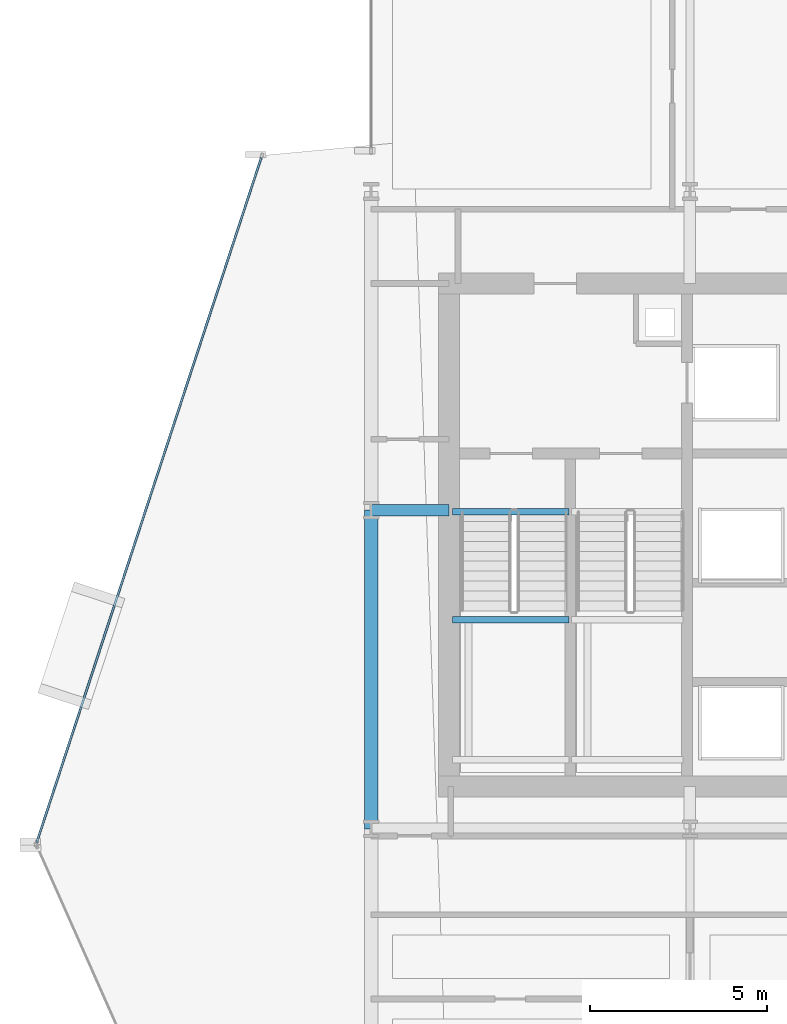
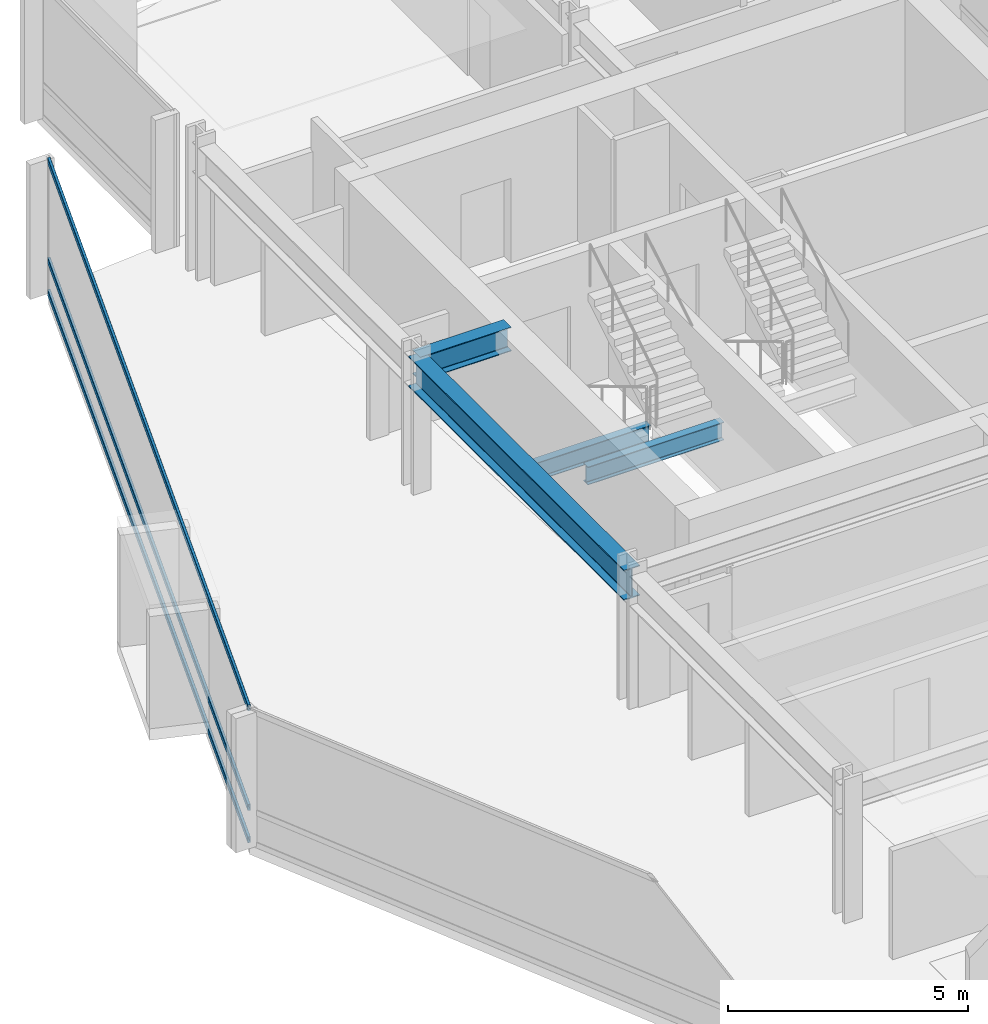
# One storey, part 18 of 34: 4 beams, 3 members, 1 element without a shape of its own.
"""IFC4 building model written with IfcOpenShell, lengths in metres."""

from ifc_helpers import new_model, si_unit, direction, frame, origin, origin_2d, place, context, subcontext, project, spatial, hollow_rectangle, i_section, extrude, material, layer, layer_set, material_profile, profile_set, type_object, element, aggregate, save


model = new_model("IFC4")

# Units and contexts
model_context = context("Model", 3, precision=1e-05, world=origin(), true_north=direction((0.0, 1.0)))
body_context = subcontext(model_context, "Body", "Model", "MODEL_VIEW")
ifc_project = project(units=[si_unit("LENGTHUNIT", "METRE"), si_unit("AREAUNIT", "SQUARE_METRE"), si_unit("VOLUMEUNIT", "CUBIC_METRE"), si_unit("PLANEANGLEUNIT", "RADIAN"), si_unit("MASSUNIT", "GRAM", prefix="KILO")], contexts=[model_context])

# Site, building, storey
site_placement = place(None, origin())
site = spatial("IfcSite", under=ifc_project, at=site_placement, CompositionType="ELEMENT")
building_placement = place(site_placement, origin())
building = spatial("IfcBuilding", under=site, at=building_placement, Name="Solvaryn Broadcast Tower", CompositionType="ELEMENT")
storey_placement = place(building_placement, frame((0.0, 0.0, 58.199951171875)))
storey = spatial("IfcBuildingStorey", under=building, at=storey_placement, Name="L13", CompositionType="ELEMENT", Elevation=58.199951171875)

# Beams
ifc_material_1 = material(Name="Steel ASTM A992 Grade 50", Category="steel")
ifc_material_profile_1 = material_profile(ifc_material_1, i_section(OverallWidth=0.323974609375, OverallDepth=0.611083984375, WebThickness=0.0126953125, FlangeThickness=0.01904296875, FilletRadius=0.014892578125, at=origin_2d()))
ifc_profile_set_1 = profile_set([ifc_material_profile_1], Name="Steel ASTM A992 Grade 50")
beam_type_1 = type_object("IfcBeamType", Name="BM-B1-W24X104", PredefinedType="BEAM", material=ifc_profile_set_1)
beam_1_placement = place(storey_placement, frame((9.0, 36.0, 3.114501953125), z_axis=(1.0, 0.0, 0.0), x_axis=(0.0, 1.0, 0.0)))
element("IfcBeam", 1, at=beam_1_placement, inside=storey, type_object=beam_type_1, Name="L13 Core Tie Beam CTW1", PredefinedType="BEAM", context=body_context, shape_type="SweptSolid", body=[
    extrude(i_section(OverallWidth=0.323974609375, OverallDepth=0.611083984375, WebThickness=0.0126953125, FlangeThickness=0.01904296875, FilletRadius=0.014892578125, at=origin_2d()), origin(), (0.0, 0.0, 1.0), 2.199951171875),
])
ifc_material_2 = material(Name="Steel ASTM A992 Grade 50", Category="steel")
ifc_material_profile_2 = material_profile(ifc_material_2, i_section(OverallWidth=0.18994140625, OverallDepth=0.45703125, WebThickness=0.009033203125, FlangeThickness=0.014404296875, FilletRadius=0.011962890625, at=origin_2d()))
ifc_profile_set_2 = profile_set([ifc_material_profile_2], Name="Steel ASTM A992 Grade 50")
beam_type_2 = type_object("IfcBeamType", Name="BM-B4-W18X50", PredefinedType="BEAM", material=ifc_profile_set_2)
for number, where, z_axis, x_axis, name in (
    (2, (11.300048828125, 35.9599609375, -0.508544921875), (1.0, 0.0, 0.0), (0.0, 1.0, 0.0), "L13 ST1 Stair Well Trimmer Beam"),
    (3, (11.300048828125, 32.909912109375, 1.421630859375), (1.0, 0.0, 0.0), (0.0, 1.0, 0.0), "L13 ST1 Landing Support Beam 1B"),
):
    element("IfcBeam", number, at=place(storey_placement, frame(where, z_axis=z_axis, x_axis=x_axis)), inside=storey, type_object=beam_type_2, Name=name, PredefinedType="BEAM", context=body_context, shape_type="SweptSolid", body=[
        extrude(i_section(OverallWidth=0.18994140625, OverallDepth=0.45703125, WebThickness=0.009033203125, FlangeThickness=0.014404296875, FilletRadius=0.011962890625, at=origin_2d()), origin(), (0.0, 0.0, 1.0), 3.280029296875),
    ])
ifc_material_3 = material(Name="Steel ASTM A992 Grade 50", Category="steel")
ifc_material_profile_3 = material_profile(ifc_material_3, i_section(OverallWidth=0.381103515625, OverallDepth=0.77294921875, WebThickness=0.0166015625, FlangeThickness=0.027099609375, FilletRadius=0.01806640625, at=origin_2d()))
ifc_profile_set_3 = profile_set([ifc_material_profile_3], Name="Steel ASTM A992 Grade 50")
beam_type_3 = type_object("IfcBeamType", Name="BM-SP1-W30X173", PredefinedType="USERDEFINED", material=ifc_profile_set_3)
beam_2_placement = place(storey_placement, frame((9.0, 27.0, 3.033447265625), z_axis=(0.0, 1.0, 0.0), x_axis=(-1.0, 0.0, 0.0)))
element("IfcBeam", 4, at=beam_2_placement, inside=storey, type_object=beam_type_3, Name="L13 Spandrel Beam Y (27-36 @ X=9)", ObjectType="SPANDREL", PredefinedType="USERDEFINED", context=body_context, shape_type="SweptSolid", body=[
    extrude(i_section(OverallWidth=0.381103515625, OverallDepth=0.77294921875, WebThickness=0.0166015625, FlangeThickness=0.027099609375, FilletRadius=0.01806640625, at=origin_2d()), origin(), (0.0, 0.0, 1.0), 9.0),
])

# Curtain wall, members
ifc_material_4 = material(Name="Aluminium and Terracotta Unitised Curtain Wall", Category="masonry")
ifc_layer = layer(ifc_material_4, 0.199951171875)
ifc_layer_set = layer_set([ifc_layer], Name="CW-SYS2-LOWMID")
curtain_wall_type = type_object("IfcCurtainWallType", Name="CW-SYS2-LOWMID", PredefinedType="NOTDEFINED", material=ifc_layer_set)
curtain_wall_placement = place(storey_placement, origin())
curtain_wall = element("IfcCurtainWall", 5, at=curtain_wall_placement, inside=storey, type_object=curtain_wall_type, Name="L13 Curtain Wall DR1", PredefinedType="NOTDEFINED")
ifc_material_5 = material(Name="Anodised Aluminium 6063-T6", Category="aluminium")
ifc_material_profile_4 = material_profile(ifc_material_5, hollow_rectangle(XDim=0.06494140625, YDim=0.14990234375, WallThickness=0.00390625, InnerFilletRadius=0.00390625, OuterFilletRadius=0.008056640625, at=origin_2d()))
ifc_profile_set_4 = profile_set([ifc_material_profile_4], Name="Anodised Aluminium 6063-T6")
member_type = type_object("IfcMemberType", Name="CW-TRN-150", PredefinedType="USERDEFINED", material=ifc_profile_set_4)
member_1_placement = place(storey_placement, frame((5.897216796875, 45.958984375, 0.030029296875), z_axis=(-0.311589549406, -0.950216792475, 0.0), x_axis=(0.950216792475, -0.311589549406, 0.0)))
member_1 = element("IfcMember", 6, at=member_1_placement, type_object=member_type, Name="CWS2 transom 1.1", ObjectType="TRANSOM", PredefinedType="USERDEFINED", context=body_context, shape_type="SweptSolid", body=[
    extrude(hollow_rectangle(XDim=0.06494140625, YDim=0.14990234375, WallThickness=0.00390625, InnerFilletRadius=0.00390625, OuterFilletRadius=0.008056640625, at=origin_2d()), origin(), (0.0, 0.0, 1.0), 20.35546875),
])
member_2_placement = place(storey_placement, frame((5.897216796875, 45.958984375, 0.85009765625), z_axis=(-0.311589549406, -0.950216792475, 0.0), x_axis=(0.950216792475, -0.311589549406, 0.0)))
member_2 = element("IfcMember", 7, at=member_2_placement, type_object=member_type, Name="CWS2 transom 1.2", ObjectType="TRANSOM", PredefinedType="USERDEFINED", context=body_context, shape_type="SweptSolid", body=[
    extrude(hollow_rectangle(XDim=0.06494140625, YDim=0.14990234375, WallThickness=0.00390625, InnerFilletRadius=0.00390625, OuterFilletRadius=0.008056640625, at=origin_2d()), origin(), (0.0, 0.0, 1.0), 20.35546875),
])
member_3_placement = place(storey_placement, frame((5.897216796875, 45.958984375, 3.39013671875), z_axis=(-0.311589549406, -0.950216792475, 0.0), x_axis=(0.950216792475, -0.311589549406, 0.0)))
member_3 = element("IfcMember", 8, at=member_3_placement, type_object=member_type, Name="CWS2 transom 1.3", ObjectType="TRANSOM", PredefinedType="USERDEFINED", context=body_context, shape_type="SweptSolid", body=[
    extrude(hollow_rectangle(XDim=0.06494140625, YDim=0.14990234375, WallThickness=0.00390625, InnerFilletRadius=0.00390625, OuterFilletRadius=0.008056640625, at=origin_2d()), origin(), (0.0, 0.0, 1.0), 20.35546875),
])
aggregate(curtain_wall, [member_1, member_2, member_3])

save(model, "model.ifc")
